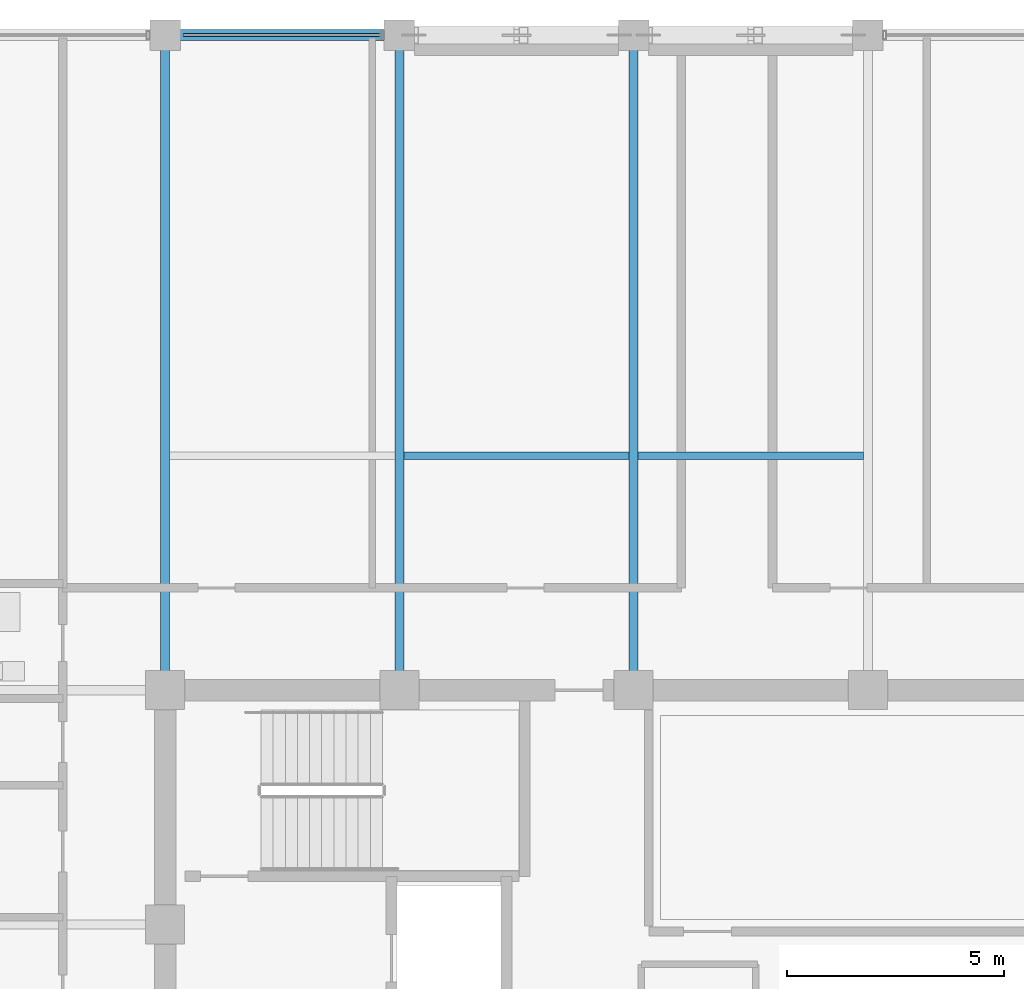
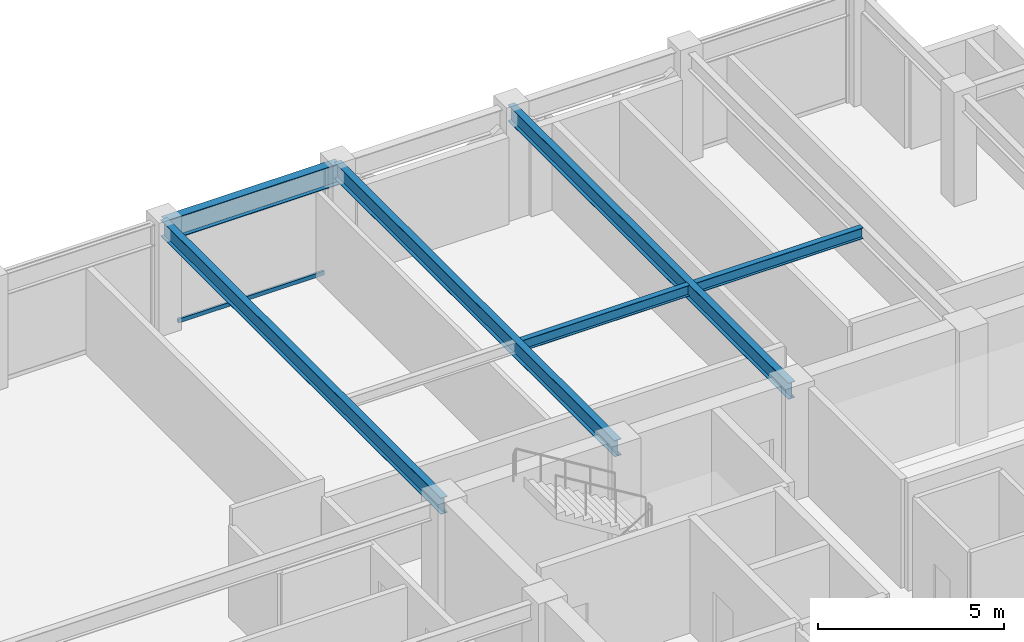
# One storey, part 18 of 30: 6 beams, 1 member, 1 element without a shape of its own.
"""IFC4 building model written with IfcOpenShell, lengths in metres."""

from ifc_helpers import new_model, si_unit, direction, frame, origin, origin_2d, place, context, subcontext, project, spatial, hollow_rectangle, i_section, extrude, material, layer, layer_set, material_profile, profile_set, type_object, element, aggregate, save


model = new_model("IFC4")

# Units and contexts
model_context = context("Model", 3, precision=1e-05, world=origin(), true_north=direction((0.0, 1.0)))
body_context = subcontext(model_context, "Body", "Model", "MODEL_VIEW")
ifc_project = project(units=[si_unit("LENGTHUNIT", "METRE"), si_unit("AREAUNIT", "SQUARE_METRE"), si_unit("VOLUMEUNIT", "CUBIC_METRE"), si_unit("PLANEANGLEUNIT", "RADIAN"), si_unit("MASSUNIT", "GRAM", prefix="KILO")], contexts=[model_context])

# Site, building, storey
site_placement = place(None, origin())
site = spatial("IfcSite", under=ifc_project, at=site_placement, CompositionType="ELEMENT")
building_placement = place(site_placement, origin())
building = spatial("IfcBuilding", under=site, at=building_placement, Name="Surkhivell Harbour Commons", CompositionType="ELEMENT")
storey_placement = place(building_placement, frame((0.0, 0.0, 292.5)))
storey = spatial("IfcBuildingStorey", under=building, at=storey_placement, Name="L76", CompositionType="ELEMENT", Elevation=292.5)

# Beams
ifc_material_1 = material(Name="Steel S355", Category="steel")
ifc_material_profile_1 = material_profile(ifc_material_1, i_section(OverallWidth=0.2099609375, OverallDepth=0.537109375, WebThickness=0.0107421875, FlangeThickness=0.017333984375, at=origin_2d()), Name="UB533x210x101")
ifc_profile_set_1 = profile_set([ifc_material_profile_1], Name="Steel S355")
beam_type_1 = type_object("IfcBeamType", Name="BM-GRD-533B", PredefinedType="BEAM", material=ifc_profile_set_1)
for number, where, z_axis, x_axis, name in (
    (1, (-10.800048828125, 10.800048828125, 3.301513671875), (0.0, 1.0, 0.0), (-1.0, 0.0, 0.0), "L76 Floor Girder (-10.8,10.8)"),
    (2, (-5.39990234375, 10.800048828125, 3.301513671875), (0.0, 1.0, 0.0), (-1.0, 0.0, 0.0), "L76 Floor Girder (-5.4,10.8)"),
    (3, (0.0, 10.800048828125, 3.301513671875), (0.0, 1.0, 0.0), (-1.0, 0.0, 0.0), "L76 Floor Girder (0.0,10.8)"),
):
    element("IfcBeam", number, at=place(storey_placement, frame(where, z_axis=z_axis, x_axis=x_axis)), inside=storey, type_object=beam_type_1, Name=name, PredefinedType="BEAM", context=body_context, shape_type="SweptSolid", body=[
        extrude(i_section(OverallWidth=0.2099609375, OverallDepth=0.537109375, WebThickness=0.0107421875, FlangeThickness=0.017333984375, at=origin_2d()), origin(), (0.0, 0.0, 1.0), 15.099853515625),
    ])
ifc_material_profile_2 = material_profile(ifc_material_1, i_section(OverallWidth=0.172119140625, OverallDepth=0.35791015625, WebThickness=0.008056640625, FlangeThickness=0.012939453125, at=origin_2d()), Name="UB356x171x57")
ifc_profile_set_2 = profile_set([ifc_material_profile_2], Name="Steel S355")
beam_type_2 = type_object("IfcBeamType", Name="BM-JST-356", PredefinedType="JOIST", material=ifc_profile_set_2)
for number, where, z_axis, x_axis, name in (
    (4, (-5.297119140625, 16.199951171875, 3.39111328125), (1.0, 0.0, 0.0), (0.0, 1.0, 0.0), "L76 North Composite Joist (-5.4)"),
    (5, (0.10302734375, 16.199951171875, 3.39111328125), (1.0, 0.0, 0.0), (0.0, 1.0, 0.0), "L76 North Composite Joist (0.0)"),
):
    element("IfcBeam", number, at=place(storey_placement, frame(where, z_axis=z_axis, x_axis=x_axis)), inside=storey, type_object=beam_type_2, Name=name, PredefinedType="JOIST", context=body_context, shape_type="SweptSolid", body=[
        extrude(i_section(OverallWidth=0.172119140625, OverallDepth=0.35791015625, WebThickness=0.008056640625, FlangeThickness=0.012939453125, at=origin_2d()), origin(), (0.0, 0.0, 1.0), 5.194091796875),
    ])
ifc_material_profile_3 = material_profile(ifc_material_1, i_section(OverallWidth=0.256103515625, OverallDepth=0.693115234375, WebThickness=0.014404296875, FlangeThickness=0.023681640625, at=origin_2d()), Name="UB686x254x170")
ifc_profile_set_3 = profile_set([ifc_material_profile_3], Name="Steel S355")
beam_type_3 = type_object("IfcBeamType", Name="BM-SPN-686", PredefinedType="SPANDREL", material=ifc_profile_set_3)
beam_placement = place(storey_placement, frame((-10.800048828125, 25.89990234375, 3.223388671875), z_axis=(1.0, 0.0, 0.0), x_axis=(0.0, 1.0, 0.0)))
element("IfcBeam", 6, at=beam_placement, inside=storey, type_object=beam_type_3, Name="L76 Tube Spandrel (-10.8,25.9)", PredefinedType="SPANDREL", context=body_context, shape_type="SweptSolid", body=[
    extrude(i_section(OverallWidth=0.256103515625, OverallDepth=0.693115234375, WebThickness=0.014404296875, FlangeThickness=0.023681640625, at=origin_2d()), origin(), (0.0, 0.0, 1.0), 5.400146484375),
])

# Curtain wall, member
ifc_material_2 = material(Name="Anodised pale-metal aluminium and insulated glazing", Category="aluminium")
ifc_layer = layer(ifc_material_2, 0.175048828125)
ifc_layer_set = layer_set([ifc_layer], Name="Anodised pale-metal aluminium and insulated glazing")
curtain_wall_type = type_object("IfcCurtainWallType", Name="CW-SYS-Z4", PredefinedType="NOTDEFINED", material=ifc_layer_set)
curtain_wall_placement = place(storey_placement, origin())
curtain_wall = element("IfcCurtainWall", 7, at=curtain_wall_placement, inside=storey, type_object=curtain_wall_type, Name="L76 Curtain Wall CW-L76-E07S2", PredefinedType="NOTDEFINED")
ifc_material_3 = material(Name="Champagne anodised aluminium alloy 6063-T6", Category="aluminium")
ifc_material_profile_4 = material_profile(ifc_material_3, hollow_rectangle(XDim=0.070068359375, YDim=0.1298828125, WallThickness=0.00341796875, at=origin_2d()), Name="ALU-TRAN-70x130")
ifc_profile_set_4 = profile_set([ifc_material_profile_4], Name="Champagne anodised aluminium alloy 6063-T6")
member_type = type_object("IfcMemberType", Name="CWT-130", PredefinedType="USERDEFINED", material=ifc_profile_set_4)
member_placement = place(storey_placement, frame((-5.826904296875, 25.89990234375, 0.06494140625), z_axis=(-1.0, 0.0, 0.0), x_axis=(0.0, -1.0, 0.0)))
member = element("IfcMember", 8, at=member_placement, type_object=member_type, Name="CW-Z4 transom 1.1", ObjectType="TRANSOM", PredefinedType="USERDEFINED", context=body_context, shape_type="SweptSolid", body=[
    extrude(hollow_rectangle(XDim=0.070068359375, YDim=0.1298828125, WallThickness=0.00341796875, at=origin_2d()), origin(), (0.0, 0.0, 1.0), 4.546142578125),
])
aggregate(curtain_wall, [member])

save(model, "model.ifc")
